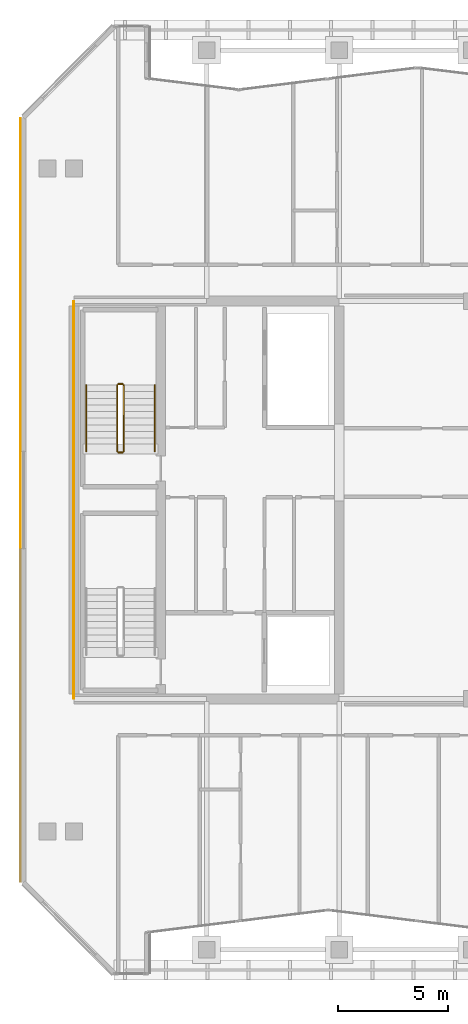
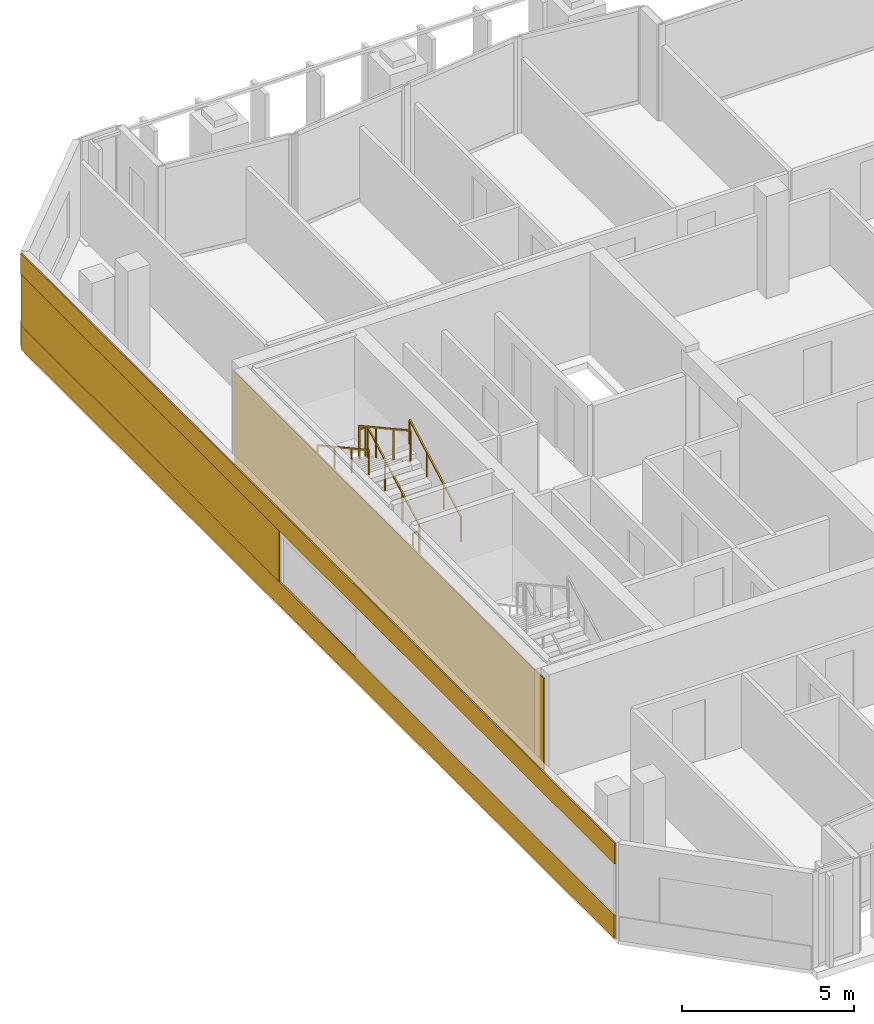
# One storey, part 29 of 32: 6 railings, 4 coverings.
"""IFC4 building model written with IfcOpenShell, lengths in metres."""

from ifc_helpers import new_model, si_unit, direction, frame, origin, origin_2d, place, context, subcontext, project, spatial, rectangle, extrude, material, layer, layer_set, type_object, element, save


model = new_model("IFC4")

# Units and contexts
model_context = context("Model", 3, precision=1e-05, world=origin(), true_north=direction((0.0, 1.0)))
body_context = subcontext(model_context, "Body", "Model", "MODEL_VIEW")
ifc_project = project(units=[si_unit("LENGTHUNIT", "METRE"), si_unit("AREAUNIT", "SQUARE_METRE"), si_unit("VOLUMEUNIT", "CUBIC_METRE"), si_unit("PLANEANGLEUNIT", "RADIAN"), si_unit("MASSUNIT", "GRAM", prefix="KILO")], contexts=[model_context])

# Site, building, storey
site_placement = place(None, origin())
site = spatial("IfcSite", under=ifc_project, at=site_placement, CompositionType="ELEMENT")
building_placement = place(site_placement, origin())
building = spatial("IfcBuilding", under=site, at=building_placement, Name="Tanjung Sevakor Pilgrim Tower", CompositionType="ELEMENT")
storey_placement = place(building_placement, frame((0.0, 0.0, 211.860107421875)))
storey = spatial("IfcBuildingStorey", under=building, at=storey_placement, Name="L59", CompositionType="ELEMENT", Elevation=211.860107421875)

# Coverings
ifc_material_1 = material(Name="Reconstructed Limestone Cladding", Category="masonry")
ifc_layer = layer(ifc_material_1, 0.044921875)
ifc_layer_set = layer_set([ifc_layer], Name="COV-CLAD-LIMESTONE")
covering_type = type_object("IfcCoveringType", Name="COV-CLAD-LIMESTONE", PredefinedType="CLADDING", material=ifc_layer_set)
covering_1_placement = place(storey_placement, frame((21.577392578125, 33.60009765625, 0.009765625), z_axis=(0.0, 0.0, 1.0), x_axis=(0.0, -1.0, 0.0)))
element("IfcCovering", 1, at=covering_1_placement, inside=storey, type_object=covering_type, Name="L59 Warm Limestone Sill Spandrel EW-L59-MAIN-35-1", PredefinedType="CLADDING", context=body_context, shape_type="SweptSolid", body=[
    extrude(rectangle(XDim=34.52880859375, YDim=0.044921875, at=origin_2d()), origin(), (0.0, 0.0, 1.0), 0.840087890625),
])
covering_2_placement = place(storey_placement, frame((21.577392578125, 33.60009765625, 2.65966796875), z_axis=(0.0, 0.0, 1.0), x_axis=(0.0, -1.0, 0.0)))
element("IfcCovering", 2, at=covering_2_placement, inside=storey, type_object=covering_type, Name="L59 Warm Limestone Cornice Spandrel EW-L59-MAIN-35", PredefinedType="CLADDING", context=body_context, shape_type="SweptSolid", body=[
    extrude(rectangle(XDim=34.56884765625, YDim=0.044921875, at=origin_2d()), origin(), (0.0, 0.0, 1.0), 0.739990234375),
])
covering_3_placement = place(storey_placement, frame((21.577392578125, 43.357177734375, 0.849853515625), z_axis=(0.0, 0.0, 1.0), x_axis=(0.0, -1.0, 0.0)))
element("IfcCovering", 3, at=covering_3_placement, inside=storey, type_object=covering_type, Name="L59 Warm Limestone Pier Panel EW-L59-MAIN-35-1", PredefinedType="CLADDING", context=body_context, shape_type="SweptSolid", body=[
    extrude(rectangle(XDim=15.014404296875, YDim=0.044921875, at=origin_2d()), origin(), (0.0, 0.0, 1.0), 1.81005859375),
])
covering_4_placement = place(storey_placement, frame((23.9775390625, 33.60009765625, 0.019775390625), z_axis=(0.0, 0.0, 1.0), x_axis=(1.0, 0.0, 0.0)))
element("IfcCovering", 4, at=covering_4_placement, inside=storey, type_object=covering_type, Name="L59 Expressed Core Warm Limestone Cladding W", PredefinedType="CLADDING", context=body_context, shape_type="SweptSolid", body=[
    extrude(rectangle(XDim=0.044921875, YDim=18.0, at=origin_2d()), origin(), (0.0, 0.0, 1.0), 3.3701171875),
])

# Railings
ifc_material_2 = material(Name="Steel S355J2", Category="steel")
railing_type_1 = type_object("IfcRailingType", Name="RL-STAIR-GUARD", PredefinedType="GUARDRAIL", material=ifc_material_2)
railing_1_placement = place(storey_placement, frame((26.25, 35.800048828125, 0.164794921875)))
element("IfcRailing", 5, at=railing_1_placement, inside=storey, type_object=railing_type_1, Name="L59 TS-W2 stair guard 1", PredefinedType="GUARDRAIL", context=body_context, shape_type="SweptSolid", body=[
    extrude(rectangle(XDim=0.0479, YDim=0.0479), frame((0.0, 0.0, 1.076171875), z_axis=(0.0, 0.876197842262, 0.481951596342), x_axis=(-1.0, 0.0, 0.0)), (0.0, 0.0, 1.0), 3.423828125),
    extrude(rectangle(XDim=0.042, YDim=0.042), origin(), (0.0, 0.0, 1.0), 1.052001953125),
    extrude(rectangle(XDim=0.042, YDim=0.042), frame((0.0, 1.0, 0.550048828125)), (0.0, 0.0, 1.0), 1.052001953125),
    extrude(rectangle(XDim=0.042, YDim=0.042), frame((0.0, 2.0, 1.10009765625)), (0.0, 0.0, 1.0), 1.052001953125),
    extrude(rectangle(XDim=0.042, YDim=0.042), frame((0.0, 3.0, 1.650146484375)), (0.0, 0.0, 1.0), 1.052001953125),
])
railing_2_placement = place(storey_placement, frame((26.199951171875, 38.85009765625, 1.81494140625)))
element("IfcRailing", 6, at=railing_2_placement, inside=storey, type_object=railing_type_1, Name="L59 TS-W2 stair guard 2", PredefinedType="GUARDRAIL", context=body_context, shape_type="SweptSolid", body=[
    extrude(rectangle(XDim=0.0479, YDim=0.0479), frame((0.0, 0.0, 1.076171875), z_axis=(-1.0, 0.0, 0.0), x_axis=(0.0, -1.0, 0.0)), (0.0, 0.0, 1.0), 0.199951171875),
    extrude(rectangle(XDim=0.042, YDim=0.042), origin(), (0.0, 0.0, 1.0), 1.052001953125),
    extrude(rectangle(XDim=0.042, YDim=0.042), frame((-0.199951171875, 0.0, 0.0)), (0.0, 0.0, 1.0), 1.052001953125),
])
railing_3_placement = place(storey_placement, frame((25.949951171875, 38.800048828125, 1.97998046875)))
element("IfcRailing", 7, at=railing_3_placement, inside=storey, type_object=railing_type_1, Name="L59 TS-W2 stair guard 3", PredefinedType="GUARDRAIL", context=body_context, shape_type="SweptSolid", body=[
    extrude(rectangle(XDim=0.0479, YDim=0.0479), frame((0.0, 0.0, 1.076171875), z_axis=(0.0, -0.876227952683, 0.48189685093), x_axis=(1.0, 0.0, 0.0)), (0.0, 0.0, 1.0), 3.423828125),
    extrude(rectangle(XDim=0.042, YDim=0.042), origin(), (0.0, 0.0, 1.0), 1.052001953125),
    extrude(rectangle(XDim=0.042, YDim=0.042), frame((0.0, -1.0, 0.550048828125)), (0.0, 0.0, 1.0), 1.052001953125),
    extrude(rectangle(XDim=0.042, YDim=0.042), frame((0.0, -2.0, 1.099853515625)), (0.0, 0.0, 1.0), 1.052001953125),
    extrude(rectangle(XDim=0.042, YDim=0.042), frame((0.0, -3.0, 1.64990234375)), (0.0, 0.0, 1.0), 1.052001953125),
])
railing_4_placement = place(storey_placement, frame((26.199951171875, 35.75, 0.0)))
element("IfcRailing", 8, at=railing_4_placement, inside=storey, type_object=railing_type_1, Name="L59 TS-W2 stair guard 4", PredefinedType="GUARDRAIL", context=body_context, shape_type="SweptSolid", body=[
    extrude(rectangle(XDim=0.0479, YDim=0.0479), frame((0.0, 0.0, 1.076171875), z_axis=(-1.0, 0.0, 0.0), x_axis=(0.0, -1.0, 0.0)), (0.0, 0.0, 1.0), 0.199951171875),
    extrude(rectangle(XDim=0.042, YDim=0.042), origin(), (0.0, 0.0, 1.0), 1.052001953125),
    extrude(rectangle(XDim=0.042, YDim=0.042), frame((-0.199951171875, 0.0, 0.0)), (0.0, 0.0, 1.0), 1.052001953125),
])
ifc_material_3 = material(Name="Steel S355J2", Category="steel")
railing_type_2 = type_object("IfcRailingType", Name="RL-STAIR-HAND", PredefinedType="HANDRAIL", material=ifc_material_3)
railing_5_placement = place(storey_placement, frame((27.64990234375, 35.800048828125, 0.164794921875)))
element("IfcRailing", 9, at=railing_5_placement, inside=storey, type_object=railing_type_2, Name="L59 TS-W2 stair handrail 1", PredefinedType="HANDRAIL", context=body_context, shape_type="SweptSolid", body=[
    extrude(rectangle(XDim=0.0479, YDim=0.0479), frame((0.0, 0.0, 0.8759765625), z_axis=(0.0, 0.876197842262, 0.481951596342), x_axis=(-1.0, 0.0, 0.0)), (0.0, 0.0, 1.0), 3.423828125),
    extrude(rectangle(XDim=0.042, YDim=0.042), origin(), (0.0, 0.0, 1.0), 0.851806640625),
    extrude(rectangle(XDim=0.042, YDim=0.042), frame((0.0, 1.0, 0.550048828125)), (0.0, 0.0, 1.0), 0.851806640625),
    extrude(rectangle(XDim=0.042, YDim=0.042), frame((0.0, 2.0, 1.10009765625)), (0.0, 0.0, 1.0), 0.851806640625),
    extrude(rectangle(XDim=0.042, YDim=0.042), frame((0.0, 3.0, 1.650146484375)), (0.0, 0.0, 1.0), 0.851806640625),
])
railing_6_placement = place(storey_placement, frame((24.550048828125, 38.800048828125, 1.97998046875)))
element("IfcRailing", 10, at=railing_6_placement, inside=storey, type_object=railing_type_2, Name="L59 TS-W2 stair handrail 2", PredefinedType="HANDRAIL", context=body_context, shape_type="SweptSolid", body=[
    extrude(rectangle(XDim=0.0479, YDim=0.0479), frame((0.0, 0.0, 0.8759765625), z_axis=(0.0, -0.876227952683, 0.48189685093), x_axis=(1.0, 0.0, 0.0)), (0.0, 0.0, 1.0), 3.423828125),
    extrude(rectangle(XDim=0.042, YDim=0.042), origin(), (0.0, 0.0, 1.0), 0.851806640625),
    extrude(rectangle(XDim=0.042, YDim=0.042), frame((0.0, -1.0, 0.550048828125)), (0.0, 0.0, 1.0), 0.851806640625),
    extrude(rectangle(XDim=0.042, YDim=0.042), frame((0.0, -2.0, 1.099853515625)), (0.0, 0.0, 1.0), 0.851806640625),
    extrude(rectangle(XDim=0.042, YDim=0.042), frame((0.0, -3.0, 1.64990234375)), (0.0, 0.0, 1.0), 0.851806640625),
])

save(model, "model.ifc")
